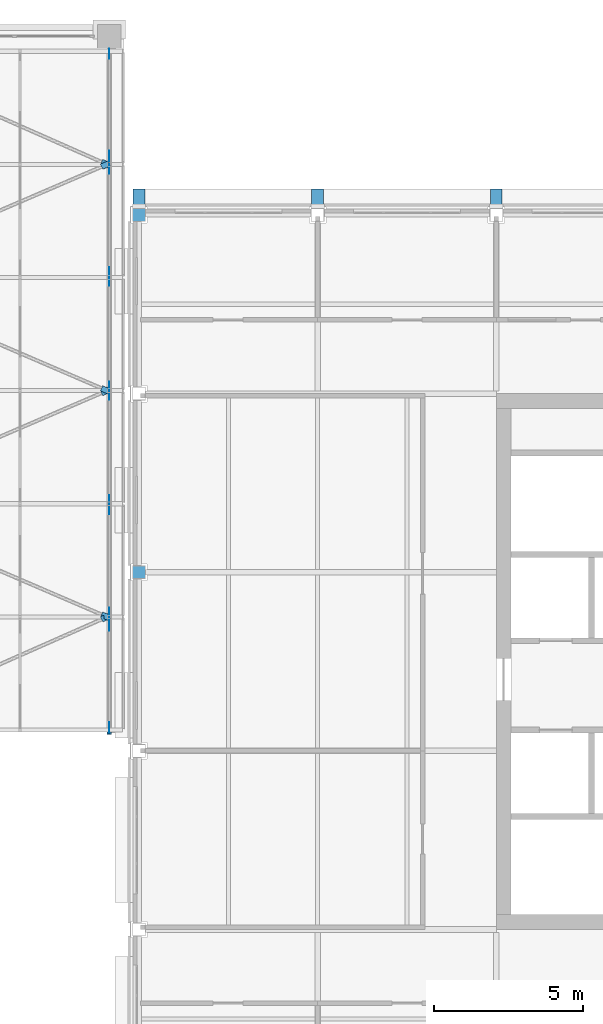
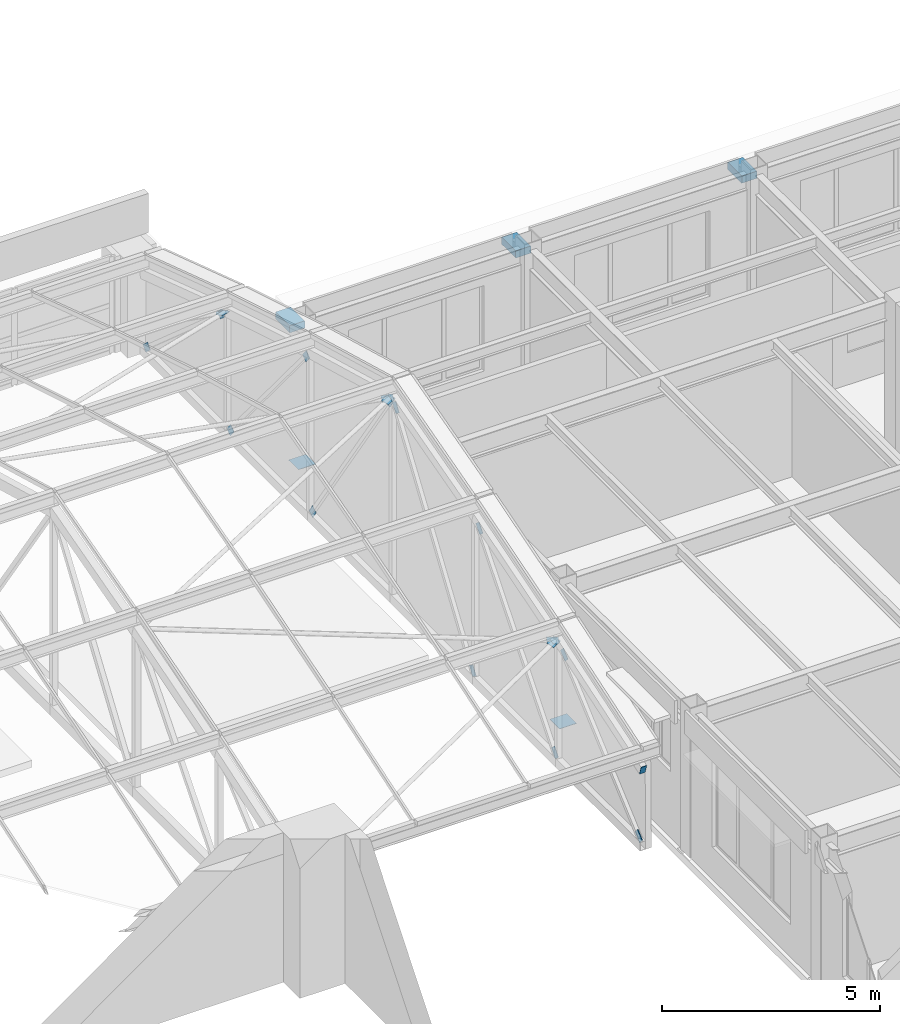
# One storey, part 76 of 82: 24 discrete accessories.
"""IFC4 building model written with IfcOpenShell, lengths in metres."""

from ifc_helpers import new_model, si_unit, direction, frame, origin, place, context, subcontext, project, spatial, polyline, outline, extrude, material, layer, layer_set, type_object, element, save


model = new_model("IFC4")

# Units and contexts
model_context = context("Model", 3, precision=1e-05, world=origin(), true_north=direction((0.0, 1.0)))
body_context = subcontext(model_context, "Body", "Model", "MODEL_VIEW")
ifc_project = project(units=[si_unit("LENGTHUNIT", "METRE"), si_unit("AREAUNIT", "SQUARE_METRE"), si_unit("VOLUMEUNIT", "CUBIC_METRE"), si_unit("PLANEANGLEUNIT", "RADIAN"), si_unit("MASSUNIT", "GRAM", prefix="KILO")], contexts=[model_context])

# Site, building, storey
site_placement = place(None, origin())
site = spatial("IfcSite", under=ifc_project, at=site_placement, CompositionType="ELEMENT")
building_placement = place(site_placement, origin())
building = spatial("IfcBuilding", under=site, at=building_placement, Name="Aravalli Gate Trade Fair Centre", CompositionType="ELEMENT")
storey_placement = place(building_placement, frame((0.0, 0.0, 19.199951171875)))
storey = spatial("IfcBuildingStorey", under=building, at=storey_placement, Name="L04", CompositionType="ELEMENT", Elevation=19.199951171875)

# Discrete accessories
ifc_material = material(Name="Steel E350", Category="steel")
ifc_layer_1 = layer(ifc_material, 0.010009765625)
ifc_layer_set_1 = layer_set([ifc_layer_1], Name="Steel E350")
discrete_accessory_type_1 = type_object("IfcDiscreteAccessoryType", Name="End plate 150x250 x 10", PredefinedType="USERDEFINED", material=ifc_layer_set_1)
discrete_accessory_1_placement = place(storey_placement, frame((159.074951171875, 109.63916015625, 2.146728515625), z_axis=(0.0, 0.949654786485, 0.313298238912), x_axis=(-1.0, 0.0, 0.0)))
element("IfcDiscreteAccessory", 1, at=discrete_accessory_1_placement, inside=storey, type_object=discrete_accessory_type_1, Name="End plate Concourse vault truss CT2 line E top chord T1 end A", ObjectType="END CAP", PredefinedType="USERDEFINED", context=body_context, shape_type="SweptSolid", body=[
    extrude(outline(polyline([(0.0, 0.0), (0.14990234375, 0.0), (0.14990234375, 0.2501422953957643), (0.0, 0.2501422953957643), (0.0, 0.0)])), origin(), (0.0, 0.0, -1.0), 0.010009765625),
])
ifc_layer_2 = layer(ifc_material, 0.011962890625)
ifc_layer_set_2 = layer_set([ifc_layer_2], Name="Steel E350")
discrete_accessory_type_2 = type_object("IfcDiscreteAccessoryType", Name="End plate 450x450 x 12", PredefinedType="USERDEFINED", material=ifc_layer_set_2)
for number, where, z_axis, x_axis, name in (
    (2, (159.77490234375, 114.77490234375, 0.0), (0.0, 0.0, 1.0), (1.0, 0.0, 0.0), "End plate Wing column 18/T3 L04 end A"),
    (3, (159.77490234375, 126.77490234375, 0.0), (0.0, 0.0, 1.0), (1.0, 0.0, 0.0), "End plate Wing column 18/T4 L04 end A"),
):
    element("IfcDiscreteAccessory", number, at=place(storey_placement, frame(where, z_axis=z_axis, x_axis=x_axis)), inside=storey, type_object=discrete_accessory_type_2, Name=name, ObjectType="END CAP", PredefinedType="USERDEFINED", context=body_context, shape_type="SweptSolid", body=[
        extrude(outline(polyline([(0.0, 0.0), (0.4501953125, 0.0), (0.4501953125, 0.4501953125), (0.0, 0.4501953125), (0.0, 0.0)])), origin(), (0.0, 0.0, -1.0), 0.011962890625),
    ])
ifc_layer_3 = layer(ifc_material, 0.010009765625)
ifc_layer_set_3 = layer_set([ifc_layer_3], Name="Steel E350")
discrete_accessory_type_3 = type_object("IfcDiscreteAccessoryType", Name="Gusset plate 200 x 200 x 10", PredefinedType="USERDEFINED", material=ifc_layer_set_3)
discrete_accessory_2_placement = place(storey_placement, frame((159.0048828125, 109.82666015625, 0.45703125), z_axis=(1.0, 0.0, 0.0), x_axis=(0.0, -0.751819793684, -0.65936863576)))
element("IfcDiscreteAccessory", 4, at=discrete_accessory_2_placement, inside=storey, type_object=discrete_accessory_type_3, Name="Gusset plate Concourse vault truss CT2 line E diagonal D1 end A", ObjectType="GUSSET PLATE", PredefinedType="USERDEFINED", context=body_context, shape_type="SweptSolid", body=[
    extrude(outline(polyline([(0.0, 0.0), (0.279919763376638, 0.0), (0.2797822075282748, 0.20015610958395777), (-0.000298534519203128, 0.1999725598296403), (0.0, 0.0)])), origin(), (0.0, 0.0, -1.0), 0.010009765625),
])
discrete_accessory_3_placement = place(storey_placement, frame((158.9951171875, 113.0439453125, 3.28125), z_axis=(-1.0, 0.0, 0.0), x_axis=(0.0, 0.751387517828, 0.65986119605)))
element("IfcDiscreteAccessory", 5, at=discrete_accessory_3_placement, inside=storey, type_object=discrete_accessory_type_3, Name="Gusset plate Concourse vault truss CT2 line E diagonal D1 end B", ObjectType="GUSSET PLATE", PredefinedType="USERDEFINED", context=body_context, shape_type="SweptSolid", body=[
    extrude(outline(polyline([(0.0, 0.0), (0.28008080219175713, 0.0), (0.2799037423430811, 0.19999505782444854), (-0.00017705984867599778, 0.19999505782444854), (0.0, 0.0)])), origin(), (0.0, 0.0, -1.0), 0.010009765625),
])
discrete_accessory_4_placement = place(storey_placement, frame((159.0048828125, 113.65478515625, 0.4677734375), z_axis=(1.0, 0.0, 0.0), x_axis=(0.0, -0.639154613672, -0.769078266383)))
element("IfcDiscreteAccessory", 6, at=discrete_accessory_4_placement, inside=storey, type_object=discrete_accessory_type_3, Name="Gusset plate Concourse vault truss CT2 line E diagonal D2 end A", ObjectType="GUSSET PLATE", PredefinedType="USERDEFINED", context=body_context, shape_type="SweptSolid", body=[
    extrude(outline(polyline([(0.0, 0.0), (0.27998714911398315, 0.0), (0.27987985582905256, 0.19990165302035742), (8.046996369795445e-05, 0.20005769662721085), (0.0, 0.0)])), origin(), (0.0, 0.0, -1.0), 0.010009765625),
])
discrete_accessory_5_placement = place(storey_placement, frame((158.9951171875, 116.950439453125, 4.43505859375), z_axis=(-1.0, 0.0, 0.0), x_axis=(0.0, 0.639154613672, 0.769078266383)))
element("IfcDiscreteAccessory", 7, at=discrete_accessory_5_placement, inside=storey, type_object=discrete_accessory_type_3, Name="Gusset plate Concourse vault truss CT2 line E diagonal D2 end B", ObjectType="GUSSET PLATE", PredefinedType="USERDEFINED", context=body_context, shape_type="SweptSolid", body=[
    extrude(outline(polyline([(0.0, 0.0), (0.27998714911398315, 0.0), (0.28009444239891373, 0.1999016530203574), (-8.046996369795445e-05, 0.20005769662721085), (0.0, 0.0)])), origin(), (0.0, 0.0, -1.0), 0.010009765625),
])
discrete_accessory_6_placement = place(storey_placement, frame((159.0048828125, 117.41357421875, 0.4716796875), z_axis=(1.0, 0.0, 0.0), x_axis=(0.0, -0.559922143082, -0.828545227303)))
element("IfcDiscreteAccessory", 8, at=discrete_accessory_6_placement, inside=storey, type_object=discrete_accessory_type_3, Name="Gusset plate Concourse vault truss CT2 line E diagonal D3 end A", ObjectType="GUSSET PLATE", PredefinedType="USERDEFINED", context=body_context, shape_type="SweptSolid", body=[
    extrude(outline(polyline([(0.0, 0.0), (0.27992870649326795, 0.0), (0.27995681298226976, 0.2000943537630191), (-3.74753186691279e-05, 0.19975537247142117), (0.0, 0.0)])), origin(), (0.0, 0.0, -1.0), 0.010009765625),
])
discrete_accessory_7_placement = place(storey_placement, frame((158.9951171875, 120.797607421875, 5.481201171875), z_axis=(-1.0, 0.0, 0.0), x_axis=(0.0, 0.559322982609, 0.828949818219)))
element("IfcDiscreteAccessory", 9, at=discrete_accessory_7_placement, inside=storey, type_object=discrete_accessory_type_3, Name="Gusset plate Concourse vault truss CT2 line E diagonal D3 end B", ObjectType="GUSSET PLATE", PredefinedType="USERDEFINED", context=body_context, shape_type="SweptSolid", body=[
    extrude(outline(polyline([(0.0, 0.0), (0.2797920798731574, 0.0), (0.2798216913104345, 0.19995772768692557), (-0.0003093223519876065, 0.19989190082276292), (0.0, 0.0)])), origin(), (0.0, 0.0, -1.0), 0.010009765625),
])
discrete_accessory_8_placement = place(storey_placement, frame((158.9951171875, 121.23681640625, 5.369140625), z_axis=(-1.0, 0.0, 0.0), x_axis=(0.0, -0.559517758756, 0.82881836227)))
element("IfcDiscreteAccessory", 10, at=discrete_accessory_8_placement, inside=storey, type_object=discrete_accessory_type_3, Name="Gusset plate Concourse vault truss CT2 line E diagonal D4 end A", ObjectType="GUSSET PLATE", PredefinedType="USERDEFINED", context=body_context, shape_type="SweptSolid", body=[
    extrude(outline(polyline([(0.0, 0.0), (0.2801310213966175, 0.0), (0.28005442269643727, 0.19995771520797853), (0.0001257495327958852, 0.20009431622329993), (0.0, 0.0)])), origin(), (0.0, 0.0, -1.0), 0.010009765625),
])
discrete_accessory_9_placement = place(storey_placement, frame((159.0048828125, 124.620849609375, 0.35986328125), z_axis=(1.0, 0.0, 0.0), x_axis=(0.0, 0.559517758756, -0.82881836227)))
element("IfcDiscreteAccessory", 11, at=discrete_accessory_9_placement, inside=storey, type_object=discrete_accessory_type_3, Name="Gusset plate Concourse vault truss CT2 line E diagonal D4 end B", ObjectType="GUSSET PLATE", PredefinedType="USERDEFINED", context=body_context, shape_type="SweptSolid", body=[
    extrude(outline(polyline([(0.0, 0.0), (0.2801310213966175, 0.0), (0.2798686708485002, 0.19989196799032383), (7.65987001802304e-05, 0.1999577152079785), (0.0, 0.0)])), origin(), (0.0, 0.0, -1.0), 0.010009765625),
])
discrete_accessory_10_placement = place(storey_placement, frame((158.9951171875, 125.095703125, 4.30712890625), z_axis=(-1.0, 0.0, 0.0), x_axis=(0.0, -0.638726175947, 0.76943412464)))
element("IfcDiscreteAccessory", 12, at=discrete_accessory_10_placement, inside=storey, type_object=discrete_accessory_type_3, Name="Gusset plate Concourse vault truss CT2 line E diagonal D5 end A", ObjectType="GUSSET PLATE", PredefinedType="USERDEFINED", context=body_context, shape_type="SweptSolid", body=[
    extrude(outline(polyline([(0.0, 0.0), (0.28017495581690455, 0.0), (0.2800230588843413, 0.20008953190135664), (0.0001918922033221776, 0.20005762078107026), (0.0, 0.0)])), origin(), (0.0, 0.0, -1.0), 0.010009765625),
])
discrete_accessory_11_placement = place(storey_placement, frame((159.0048828125, 128.3916015625, 0.33984375), z_axis=(1.0, 0.0, 0.0), x_axis=(0.0, 0.639067373845, -0.769150760051)))
element("IfcDiscreteAccessory", 13, at=discrete_accessory_11_placement, inside=storey, type_object=discrete_accessory_type_3, Name="Gusset plate Concourse vault truss CT2 line E diagonal D5 end B", ObjectType="GUSSET PLATE", PredefinedType="USERDEFINED", context=body_context, shape_type="SweptSolid", body=[
    extrude(outline(polyline([(0.0, 0.0), (0.27964334405746344, 0.0), (0.27972796271361483, 0.1999016639045393), (-0.00010316229112665443, 0.2000576862126069), (0.0, 0.0)])), origin(), (0.0, 0.0, -1.0), 0.010009765625),
])
discrete_accessory_12_placement = place(storey_placement, frame((158.9951171875, 129.024169921875, 3.130859375), z_axis=(-1.0, 0.0, 0.0), x_axis=(0.0, -0.751387517828, 0.65986119605)))
element("IfcDiscreteAccessory", 14, at=discrete_accessory_12_placement, inside=storey, type_object=discrete_accessory_type_3, Name="Gusset plate Concourse vault truss CT2 line E diagonal D6 end A", ObjectType="GUSSET PLATE", PredefinedType="USERDEFINED", context=body_context, shape_type="SweptSolid", body=[
    extrude(outline(polyline([(0.0, 0.0), (0.28008080219175713, 0.0), (0.2802578620404331, 0.19999505782444854), (0.00017705984867599778, 0.19999505782444854), (0.0, 0.0)])), origin(), (0.0, 0.0, -1.0), 0.010009765625),
])
discrete_accessory_13_placement = place(storey_placement, frame((159.0048828125, 132.2412109375, 0.306884765625), z_axis=(1.0, 0.0, 0.0), x_axis=(0.0, 0.751766688996, -0.659429181426)))
element("IfcDiscreteAccessory", 15, at=discrete_accessory_13_placement, inside=storey, type_object=discrete_accessory_type_3, Name="Gusset plate Concourse vault truss CT2 line E diagonal D6 end B", ObjectType="GUSSET PLATE", PredefinedType="USERDEFINED", context=body_context, shape_type="SweptSolid", body=[
    extrude(outline(polyline([(0.0, 0.0), (0.2802642927106765, 0.0), (0.28020219219795656, 0.19999512656042612), (0.00028242972908229524, 0.19997258322361683), (0.0, 0.0)])), origin(), (0.0, 0.0, -1.0), 0.010009765625),
])
discrete_accessory_14_placement = place(storey_placement, frame((158.785888671875, 113.332275390625, 3.498046875), z_axis=(-0.002663370349, -0.312351879597, 0.949962741254), x_axis=(0.906579857976, 0.400157535892, 0.134115277212)))
element("IfcDiscreteAccessory", 16, at=discrete_accessory_14_placement, inside=storey, type_object=discrete_accessory_type_3, Name="Gusset plate Vault plan brace 18.1 end B", ObjectType="GUSSET PLATE", PredefinedType="USERDEFINED", context=body_context, shape_type="SweptSolid", body=[
    extrude(outline(polyline([(0.0, 0.0), (0.2800705844628359, -3.469446951953614e-18), (0.27980413882279603, 0.20016624946149608), (-0.0001428073778124931, 0.19985287050779732), (0.0, 0.0)])), origin(), (0.0, 0.0, -1.0), 0.010009765625),
])
discrete_accessory_15_placement = place(storey_placement, frame((158.701416015625, 113.490478515625, 3.54833984375), z_axis=(-0.013821190618, -0.312516821866, 0.949811671196), x_axis=(0.912540490508, -0.39225466912, -0.115784833799)))
element("IfcDiscreteAccessory", 17, at=discrete_accessory_15_placement, inside=storey, type_object=discrete_accessory_type_3, Name="Gusset plate Vault plan brace 18.2 end B", ObjectType="GUSSET PLATE", PredefinedType="USERDEFINED", context=body_context, shape_type="SweptSolid", body=[
    extrude(outline(polyline([(0.0, 0.0), (0.28011325135757714, -1.9081958235744878e-17), (0.2802177357665237, 0.19985751652953573), (0.00023150731455884657, 0.20016852583011063), (0.0, 0.0)])), origin(), (0.0, 0.0, -1.0), 0.010009765625),
])
discrete_accessory_16_placement = place(storey_placement, frame((158.783203125, 120.93212890625, 5.708740234375), z_axis=(-0.002771005048, -0.266628181931, 0.96379548356), x_axis=(0.913082549088, 0.392330803509, 0.111161140548)))
element("IfcDiscreteAccessory", 18, at=discrete_accessory_16_placement, inside=storey, type_object=discrete_accessory_type_3, Name="Gusset plate Vault plan brace 18.3 end B", ObjectType="GUSSET PLATE", PredefinedType="USERDEFINED", context=body_context, shape_type="SweptSolid", body=[
    extrude(outline(polyline([(0.0, 0.0), (0.2799472058897366, 2.6020852139652106e-18), (0.2799525781806622, 0.19998645845262014), (-2.1766659403490464e-05, 0.19992728697083795), (0.0, 0.0)])), origin(), (0.0, 0.0, -1.0), 0.010009765625),
])
discrete_accessory_17_placement = place(storey_placement, frame((158.707275390625, 121.089111328125, 5.7001953125), z_axis=(-0.226432817575, -0.25950268227, 0.938821887804), x_axis=(0.912708124554, -0.393112782143, 0.111472955867)))
element("IfcDiscreteAccessory", 19, at=discrete_accessory_17_placement, inside=storey, type_object=discrete_accessory_type_3, Name="Gusset plate Vault plan brace 18.4 end B", ObjectType="GUSSET PLATE", PredefinedType="USERDEFINED", context=body_context, shape_type="SweptSolid", body=[
    extrude(outline(polyline([(0.0, 0.0), (0.28007026599244117, 1.3877787807814457e-17), (0.2801162387653613, 0.20011475187298078), (0.0001419475732478831, 0.19989939262005407), (0.0, 0.0)])), origin(), (0.0, 0.0, -1.0), 0.010009765625),
])
discrete_accessory_18_placement = place(storey_placement, frame((158.783447265625, 128.53564453125, 3.60400390625), z_axis=(-0.002764433325, 0.289043485475, 0.957311977055), x_axis=(0.912396145854, 0.392558829882, -0.115891492837)))
element("IfcDiscreteAccessory", 20, at=discrete_accessory_18_placement, inside=storey, type_object=discrete_accessory_type_3, Name="Gusset plate Vault plan brace 18.5 end B", ObjectType="GUSSET PLATE", PredefinedType="USERDEFINED", context=body_context, shape_type="SweptSolid", body=[
    extrude(outline(polyline([(0.0, 0.0), (0.27989048109320425, -1.734723475976807e-18), (0.28002912056579965, 0.20013123865074495), (4.279991451877456e-05, 0.19991807278552515), (0.0, 0.0)])), origin(), (0.0, 0.0, -1.0), 0.010009765625),
])
discrete_accessory_19_placement = place(storey_placement, frame((158.701416015625, 128.694580078125, 3.552001953125), z_axis=(-0.014113243075, 0.289179903514, 0.957170726555), x_axis=(0.906424129265, -0.40043357568, 0.134343773035)))
element("IfcDiscreteAccessory", 21, at=discrete_accessory_19_placement, inside=storey, type_object=discrete_accessory_type_3, Name="Gusset plate Vault plan brace 18.6 end B", ObjectType="GUSSET PLATE", PredefinedType="USERDEFINED", context=body_context, shape_type="SweptSolid", body=[
    extrude(outline(polyline([(0.0, 0.0), (0.27984927309361307, 2.6020852139652106e-17), (0.28014426201771997, 0.20005406900869815), (7.369397067298437e-05, 0.19995100923919246), (0.0, 0.0)])), origin(), (0.0, 0.0, -1.0), 0.010009765625),
])
discrete_accessory_type_4 = type_object("IfcDiscreteAccessoryType", Name="Wing cornice bracket", PredefinedType="BRACKET", material=ifc_material)
discrete_accessory_20_placement = place(storey_placement, frame((0.0, 0.0, 3.550048828125)))
element("IfcDiscreteAccessory", 22, at=discrete_accessory_20_placement, inside=storey, type_object=discrete_accessory_type_4, Name="Cornice bracket 18T4 N", PredefinedType="BRACKET", context=body_context, shape_type="SweptSolid", body=[
    extrude(outline(polyline([(159.800048828125, 127.22509765625), (160.199951171875, 127.22509765625), (160.199951171875, 127.875), (159.800048828125, 127.875), (159.800048828125, 127.22509765625)])), origin(), (0.0, 0.0, 1.0), 0.199951171875),
])
discrete_accessory_21_placement = place(storey_placement, frame((0.0, 0.0, 3.550048828125)))
element("IfcDiscreteAccessory", 23, at=discrete_accessory_21_placement, inside=storey, type_object=discrete_accessory_type_4, Name="Cornice bracket 19T4 N", PredefinedType="BRACKET", context=body_context, shape_type="SweptSolid", body=[
    extrude(outline(polyline([(165.800048828125, 127.22509765625), (166.199951171875, 127.22509765625), (166.199951171875, 127.875), (165.800048828125, 127.875), (165.800048828125, 127.22509765625)])), origin(), (0.0, 0.0, 1.0), 0.199951171875),
])
discrete_accessory_22_placement = place(storey_placement, frame((0.0, 0.0, 3.550048828125)))
element("IfcDiscreteAccessory", 24, at=discrete_accessory_22_placement, inside=storey, type_object=discrete_accessory_type_4, Name="Cornice bracket 20T4 N", PredefinedType="BRACKET", context=body_context, shape_type="SweptSolid", body=[
    extrude(outline(polyline([(171.800048828125, 127.22509765625), (172.199951171875, 127.22509765625), (172.199951171875, 127.875), (171.800048828125, 127.875), (171.800048828125, 127.22509765625)])), origin(), (0.0, 0.0, 1.0), 0.199951171875),
])

save(model, "model.ifc")
